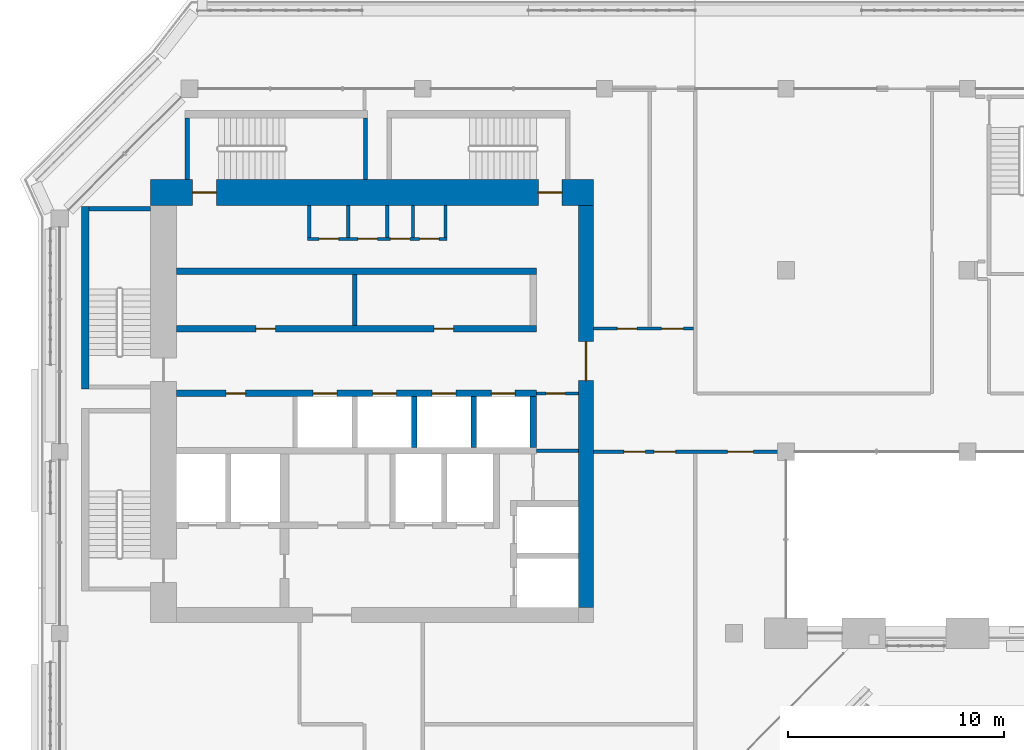
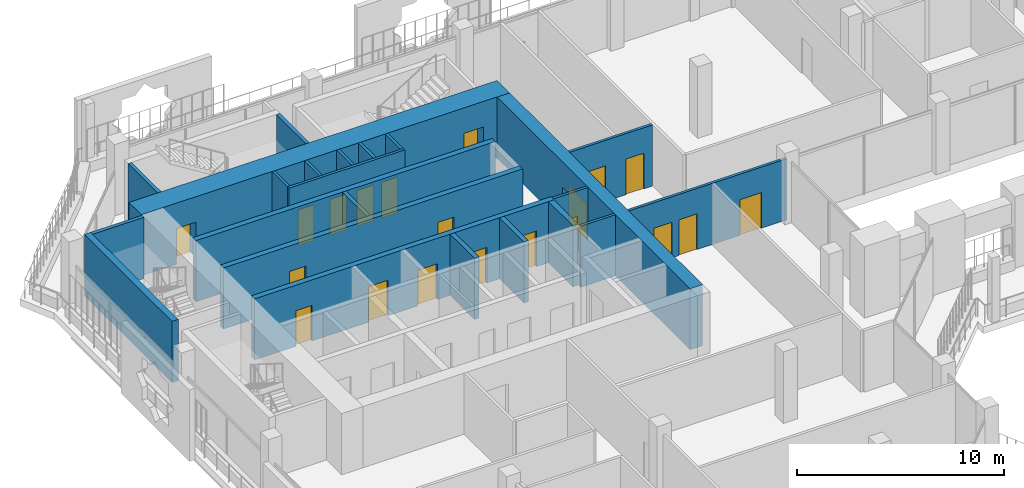
# One storey, part 11 of 22: 23 walls, 20 doors, 20 openings.
"""IFC4 building model written with IfcOpenShell, lengths in metres."""

from ifc_helpers import new_model, si_unit, direction, frame, frame_2d, origin, place, context, subcontext, project, spatial, rectangle, extrude, material, layer, layer_set, type_object, element, fill, save


model = new_model("IFC4")

# Units and contexts
model_context = context("Model", 3, precision=1e-05, world=origin(), true_north=direction((0.0, 1.0)))
body_context = subcontext(model_context, "Body", "Model", "MODEL_VIEW")
ifc_project = project(units=[si_unit("LENGTHUNIT", "METRE"), si_unit("AREAUNIT", "SQUARE_METRE"), si_unit("VOLUMEUNIT", "CUBIC_METRE"), si_unit("PLANEANGLEUNIT", "RADIAN"), si_unit("MASSUNIT", "GRAM", prefix="KILO")], contexts=[model_context])

# Site, building, storey
site_placement = place(None, origin())
site = spatial("IfcSite", under=ifc_project, at=site_placement, CompositionType="ELEMENT")
building_placement = place(site_placement, origin())
building = spatial("IfcBuilding", under=site, at=building_placement, Name="Kawkab Arch Medical Tower", CompositionType="ELEMENT")
storey_placement = place(building_placement, frame((0.0, 0.0, 286.0)))
storey = spatial("IfcBuildingStorey", under=building, at=storey_placement, Name="L66", CompositionType="ELEMENT", Elevation=286.0)

# Wall, openings, doors
ifc_material_1 = material(Name="Concrete C50/60", Category="concrete")
ifc_layer_1 = layer(ifc_material_1, 1.199951171875)
ifc_layer_set_1 = layer_set([ifc_layer_1], Name="Concrete C50/60")
wall_type_1 = type_object("IfcWallType", Name="Core ring wall 1200 C50/60", PredefinedType="SHEAR", material=ifc_layer_set_1)
wall_1_placement = place(storey_placement, frame((4.199951171875, -4.800048828125, 0.0), z_axis=(0.0, 0.0, 1.0), x_axis=(1.0, 0.0, 0.0)))
wall_1 = element("IfcWall", 1, at=wall_1_placement, inside=storey, type_object=wall_type_1, Name="L66 core wall", PredefinedType="SHEAR", context=body_context, shape_type="SweptSolid", body=[
    extrude(rectangle(XDim=20.5, YDim=1.199951171875, at=frame_2d((10.25, 0.0))), origin(), (0.0, 0.0, 1.0), 3.60009765625),
])
opening_1_placement = place(wall_1_placement, frame((1.949951171875, 0.0, 0.0)))
opening_1 = element("IfcOpeningElement", 2, at=opening_1_placement, cuts=wall_1, Name="Opening SD", PredefinedType="OPENING", context=body_context, shape_type="SweptSolid", body=[
    extrude(rectangle(XDim=1.10009765625, YDim=2.10009765625, at=frame_2d((0.550048828125, 1.050048828125))), frame((0.0, 0.60986328125, 0.0), z_axis=(0.0, -1.0, 0.0), x_axis=(1.0, 0.0, 0.0)), (0.0, 0.0, 1.0), 1.219970703125),
])
opening_2_placement = place(wall_1_placement, frame((17.949951171875, 0.0, 0.0)))
opening_2 = element("IfcOpeningElement", 3, at=opening_2_placement, cuts=wall_1, Name="Opening SD", PredefinedType="OPENING", context=body_context, shape_type="SweptSolid", body=[
    extrude(rectangle(XDim=1.10009765625, YDim=2.10009765625, at=frame_2d((0.550048828125, 1.050048828125))), frame((0.0, 0.60986328125, 0.0), z_axis=(0.0, -1.0, 0.0), x_axis=(1.0, 0.0, 0.0)), (0.0, 0.0, 1.0), 1.219970703125),
])
ifc_material_2 = material(Name="Hollow metal fire door leaf")
door_type_1 = type_object("IfcDoorType", Name="Exit stair door 1100", OperationType="SINGLE_SWING_LEFT", PredefinedType="DOOR", material=ifc_material_2)
door_1_placement = place(opening_1_placement, origin())
door_1 = element("IfcDoor", 4, at=door_1_placement, inside=storey, type_object=door_type_1, Name="L66 Exit stair ST3 door", OperationType="SINGLE_SWING_LEFT", OverallHeight=2.10009765625, OverallWidth=1.10009765625, PredefinedType="DOOR", context=body_context, shape_type="SweptSolid", body=[
    extrude(rectangle(XDim=1.10009765625, YDim=2.10009765625, at=frame_2d((0.550048828125, 1.050048828125))), frame((0.0, 0.02490234375, 0.0), z_axis=(0.0, -1.0, 0.0), x_axis=(1.0, 0.0, 0.0)), (0.0, 0.0, 1.0), 0.050048828125),
])
fill(opening_1, door_1)
door_2_placement = place(opening_2_placement, origin())
door_2 = element("IfcDoor", 5, at=door_2_placement, inside=storey, type_object=door_type_1, Name="L66 Exit stair ST4 door", OperationType="SINGLE_SWING_LEFT", OverallHeight=2.10009765625, OverallWidth=1.10009765625, PredefinedType="DOOR", context=body_context, shape_type="SweptSolid", body=[
    extrude(rectangle(XDim=1.10009765625, YDim=2.10009765625, at=frame_2d((0.550048828125, 1.050048828125))), frame((0.0, 0.02490234375, 0.0), z_axis=(0.0, -1.0, 0.0), x_axis=(1.0, 0.0, 0.0)), (0.0, 0.0, 1.0), 0.050048828125),
])
fill(opening_2, door_2)

# Wall, opening, door
ifc_material_3 = material(Name="Concrete C50/60", Category="concrete")
ifc_layer_2 = layer(ifc_material_3, 0.699951171875)
ifc_layer_set_2 = layer_set([ifc_layer_2], Name="Concrete C50/60")
wall_type_2 = type_object("IfcWallType", Name="Core ring wall 700 C50/60", PredefinedType="SHEAR", material=ifc_layer_set_2)
wall_2_placement = place(storey_placement, frame((24.35009765625, -24.0, 0.0), z_axis=(0.0, 0.0, 1.0), x_axis=(0.0, 1.0, 0.0)))
wall_2 = element("IfcWall", 6, at=wall_2_placement, inside=storey, type_object=wall_type_2, Name="L66 core wall", PredefinedType="SHEAR", context=body_context, shape_type="SweptSolid", body=[
    extrude(rectangle(XDim=18.60009765625, YDim=0.699951171875, at=frame_2d((9.300048828125, 0.0))), origin(), (0.0, 0.0, 1.0), 3.60009765625),
])
opening_3_placement = place(wall_2_placement, frame((10.5, 0.0, 0.0)))
opening_3 = element("IfcOpeningElement", 7, at=opening_3_placement, cuts=wall_2, Name="Opening PD", PredefinedType="OPENING", context=body_context, shape_type="SweptSolid", body=[
    extrude(rectangle(XDim=1.800048828125, YDim=2.10009765625, at=frame_2d((0.89990234375, 1.050048828125))), frame((0.0, 0.35986328125, 0.0), z_axis=(0.0, -1.0, 0.0), x_axis=(1.0, 0.0, 0.0)), (0.0, 0.0, 1.0), 0.719970703125),
])
ifc_material_4 = material(Name="Hollow metal fire door leaf")
door_type_2 = type_object("IfcDoorType", Name="Core entrance doors 1800", OperationType="DOUBLE_DOOR_SINGLE_SWING", PredefinedType="DOOR", material=ifc_material_4)
door_3_placement = place(opening_3_placement, origin())
door_3 = element("IfcDoor", 8, at=door_3_placement, inside=storey, type_object=door_type_2, Name="L66 East entrance doors", OperationType="DOUBLE_DOOR_SINGLE_SWING", OverallHeight=2.10009765625, OverallWidth=1.800048828125, PredefinedType="DOOR", context=body_context, shape_type="SweptSolid", body=[
    extrude(rectangle(XDim=1.800048828125, YDim=2.10009765625, at=frame_2d((0.89990234375, 1.050048828125))), frame((0.0, 0.02490234375, 0.0), z_axis=(0.0, -1.0, 0.0), x_axis=(1.0, 0.0, 0.0)), (0.0, 0.0, 1.0), 0.050048828125),
])
fill(opening_3, door_3)

# Wall
ifc_material_5 = material(Name="Gypsum board on steel studs", Category="steel")
ifc_layer_3 = layer(ifc_material_5, 0.14990234375)
ifc_layer_set_3 = layer_set([ifc_layer_3], Name="Gypsum board on steel studs")
wall_type_3 = type_object("IfcWallType", Name="Core room partition 150", PredefinedType="PARTITIONING", material=ifc_layer_set_3)
wall_3_placement = place(storey_placement, frame((22.050048828125, -16.75, 0.0), z_axis=(0.0, 0.0, 1.0), x_axis=(1.0, 0.0, 0.0)))
element("IfcWall", 9, at=wall_3_placement, inside=storey, type_object=wall_type_3, Name="L66 core room partition", PredefinedType="PARTITIONING", context=body_context, shape_type="SweptSolid", body=[
    extrude(rectangle(XDim=1.949951171875, YDim=0.14990234375, at=frame_2d((0.97509765625, 0.0))), origin(), (0.0, 0.0, 1.0), 3.60009765625),
])

# Wall, opening, door
wall_4_placement = place(storey_placement, frame((22.050048828125, -14.10009765625, 0.0), z_axis=(0.0, 0.0, 1.0), x_axis=(1.0, 0.0, 0.0)))
wall_4 = element("IfcWall", 10, at=wall_4_placement, inside=storey, type_object=wall_type_3, Name="L66 core room partition", PredefinedType="PARTITIONING", context=body_context, shape_type="SweptSolid", body=[
    extrude(rectangle(XDim=1.949951171875, YDim=0.14990234375, at=frame_2d((0.97509765625, 0.0))), origin(), (0.0, 0.0, 1.0), 3.60009765625),
])
opening_4_placement = place(wall_4_placement, frame((0.449951171875, 0.0, 0.0)))
opening_4 = element("IfcOpeningElement", 11, at=opening_4_placement, cuts=wall_4, Name="Opening RD", PredefinedType="OPENING", context=body_context, shape_type="SweptSolid", body=[
    extrude(rectangle(XDim=0.89990234375, YDim=2.10009765625, at=frame_2d((0.449951171875, 1.050048828125))), frame((0.0, 0.0849609375, 0.0), z_axis=(0.0, -1.0, 0.0), x_axis=(1.0, 0.0, 0.0)), (0.0, 0.0, 1.0), 0.169921875),
])
ifc_material_6 = material(Name="Hollow metal fire door leaf")
door_type_3 = type_object("IfcDoorType", Name="Core room door 900", OperationType="SINGLE_SWING_LEFT", PredefinedType="DOOR", material=ifc_material_6)
door_4_placement = place(opening_4_placement, origin())
door_4 = element("IfcDoor", 12, at=door_4_placement, inside=storey, type_object=door_type_3, Name="L66 UPS room door", OperationType="SINGLE_SWING_LEFT", OverallHeight=2.10009765625, OverallWidth=0.89990234375, PredefinedType="DOOR", context=body_context, shape_type="SweptSolid", body=[
    extrude(rectangle(XDim=0.89990234375, YDim=2.10009765625, at=frame_2d((0.449951171875, 1.050048828125))), frame((0.0, 0.02490234375, 0.0), z_axis=(0.0, -1.0, 0.0), x_axis=(1.0, 0.0, 0.0)), (0.0, 0.0, 1.0), 0.050048828125),
])
fill(opening_4, door_4)

# Wall, openings, doors
wall_5_placement = place(storey_placement, frame((11.47509765625, -6.949951171875, 0.0), z_axis=(0.0, 0.0, 1.0), x_axis=(1.0, 0.0, 0.0)))
wall_5 = element("IfcWall", 13, at=wall_5_placement, inside=storey, type_object=wall_type_3, Name="L66 core room partition", PredefinedType="PARTITIONING", context=body_context, shape_type="SweptSolid", body=[
    extrude(rectangle(XDim=6.449951171875, YDim=0.14990234375, at=frame_2d((3.22509765625, 0.0))), origin(), (0.0, 0.0, 1.0), 3.60009765625),
])
opening_5_placement = place(wall_5_placement, frame((0.52490234375, 0.0, 0.0)))
opening_5 = element("IfcOpeningElement", 14, at=opening_5_placement, cuts=wall_5, Name="Opening RD", PredefinedType="OPENING", context=body_context, shape_type="SweptSolid", body=[
    extrude(rectangle(XDim=0.89990234375, YDim=2.10009765625, at=frame_2d((0.449951171875, 1.050048828125))), frame((0.0, 0.0849609375, 0.0), z_axis=(0.0, -1.0, 0.0), x_axis=(1.0, 0.0, 0.0)), (0.0, 0.0, 1.0), 0.169921875),
])
opening_6_placement = place(wall_5_placement, frame((2.324951171875, 0.0, 0.0)))
opening_6 = element("IfcOpeningElement", 15, at=opening_6_placement, cuts=wall_5, Name="Opening RD", PredefinedType="OPENING", context=body_context, shape_type="SweptSolid", body=[
    extrude(rectangle(XDim=0.89990234375, YDim=2.10009765625, at=frame_2d((0.449951171875, 1.050048828125))), frame((0.0, 0.0849609375, 0.0), z_axis=(0.0, -1.0, 0.0), x_axis=(1.0, 0.0, 0.0)), (0.0, 0.0, 1.0), 0.169921875),
])
opening_7_placement = place(wall_5_placement, frame((3.824951171875, 0.0, 0.0)))
opening_7 = element("IfcOpeningElement", 16, at=opening_7_placement, cuts=wall_5, Name="Opening RD", PredefinedType="OPENING", context=body_context, shape_type="SweptSolid", body=[
    extrude(rectangle(XDim=0.89990234375, YDim=2.10009765625, at=frame_2d((0.449951171875, 1.050048828125))), frame((0.0, 0.0849609375, 0.0), z_axis=(0.0, -1.0, 0.0), x_axis=(1.0, 0.0, 0.0)), (0.0, 0.0, 1.0), 0.169921875),
])
opening_8_placement = place(wall_5_placement, frame((5.175048828125, 0.0, 0.0)))
opening_8 = element("IfcOpeningElement", 17, at=opening_8_placement, cuts=wall_5, Name="Opening RD", PredefinedType="OPENING", context=body_context, shape_type="SweptSolid", body=[
    extrude(rectangle(XDim=0.89990234375, YDim=2.10009765625, at=frame_2d((0.449951171875, 1.050048828125))), frame((0.0, 0.0849609375, 0.0), z_axis=(0.0, -1.0, 0.0), x_axis=(1.0, 0.0, 0.0)), (0.0, 0.0, 1.0), 0.169921875),
])
door_5_placement = place(opening_5_placement, origin())
door_5 = element("IfcDoor", 18, at=door_5_placement, inside=storey, type_object=door_type_3, Name="L66 Linen store door", OperationType="SINGLE_SWING_LEFT", OverallHeight=2.10009765625, OverallWidth=0.89990234375, PredefinedType="DOOR", context=body_context, shape_type="SweptSolid", body=[
    extrude(rectangle(XDim=0.89990234375, YDim=2.10009765625, at=frame_2d((0.449951171875, 1.050048828125))), frame((0.0, 0.02490234375, 0.0), z_axis=(0.0, -1.0, 0.0), x_axis=(1.0, 0.0, 0.0)), (0.0, 0.0, 1.0), 0.050048828125),
])
fill(opening_5, door_5)
door_6_placement = place(opening_6_placement, origin())
door_6 = element("IfcDoor", 19, at=door_6_placement, inside=storey, type_object=door_type_3, Name="L66 Comms room door", OperationType="SINGLE_SWING_LEFT", OverallHeight=2.10009765625, OverallWidth=0.89990234375, PredefinedType="DOOR", context=body_context, shape_type="SweptSolid", body=[
    extrude(rectangle(XDim=0.89990234375, YDim=2.10009765625, at=frame_2d((0.449951171875, 1.050048828125))), frame((0.0, 0.02490234375, 0.0), z_axis=(0.0, -1.0, 0.0), x_axis=(1.0, 0.0, 0.0)), (0.0, 0.0, 1.0), 0.050048828125),
])
fill(opening_6, door_6)
door_7_placement = place(opening_7_placement, origin())
door_7 = element("IfcDoor", 20, at=door_7_placement, inside=storey, type_object=door_type_3, Name="L66 Electrical riser room door", OperationType="SINGLE_SWING_LEFT", OverallHeight=2.10009765625, OverallWidth=0.89990234375, PredefinedType="DOOR", context=body_context, shape_type="SweptSolid", body=[
    extrude(rectangle(XDim=0.89990234375, YDim=2.10009765625, at=frame_2d((0.449951171875, 1.050048828125))), frame((0.0, 0.02490234375, 0.0), z_axis=(0.0, -1.0, 0.0), x_axis=(1.0, 0.0, 0.0)), (0.0, 0.0, 1.0), 0.050048828125),
])
fill(opening_7, door_7)
door_8_placement = place(opening_8_placement, origin())
door_8 = element("IfcDoor", 21, at=door_8_placement, inside=storey, type_object=door_type_3, Name="L66 Ward pantry door", OperationType="SINGLE_SWING_LEFT", OverallHeight=2.10009765625, OverallWidth=0.89990234375, PredefinedType="DOOR", context=body_context, shape_type="SweptSolid", body=[
    extrude(rectangle(XDim=0.89990234375, YDim=2.10009765625, at=frame_2d((0.449951171875, 1.050048828125))), frame((0.0, 0.02490234375, 0.0), z_axis=(0.0, -1.0, 0.0), x_axis=(1.0, 0.0, 0.0)), (0.0, 0.0, 1.0), 0.050048828125),
])
fill(opening_8, door_8)

# Walls
for number, where, z_axis, x_axis, name in (
    (22, (11.550048828125, -6.875, 0.0), (0.0, 0.0, 1.0), (0.0, 1.0, 0.0), "L66 core room partition"),
    (23, (13.35009765625, -6.875, 0.0), (0.0, 0.0, 1.0), (0.0, 1.0, 0.0), "L66 core room partition"),
    (24, (15.14990234375, -6.875, 0.0), (0.0, 0.0, 1.0), (0.0, 1.0, 0.0), "L66 core room partition"),
    (25, (16.35009765625, -6.875, 0.0), (0.0, 0.0, 1.0), (0.0, 1.0, 0.0), "L66 core room partition"),
    (26, (17.85009765625, -6.875, 0.0), (0.0, 0.0, 1.0), (0.0, 1.0, 0.0), "L66 core room partition"),
):
    element("IfcWall", number, at=place(storey_placement, frame(where, z_axis=z_axis, x_axis=x_axis)), inside=storey, type_object=wall_type_3, Name=name, PredefinedType="PARTITIONING", context=body_context, shape_type="SweptSolid", body=[
        extrude(rectangle(XDim=1.47509765625, YDim=0.14990234375, at=frame_2d((0.737548828125, 0.0))), origin(), (0.0, 0.0, 1.0), 3.60009765625),
    ])
ifc_material_7 = material(Name="Concrete C60/75", Category="concrete")
ifc_layer_4 = layer(ifc_material_7, 0.25)
ifc_layer_set_4 = layer_set([ifc_layer_4], Name="Concrete C60/75")
wall_type_4 = type_object("IfcWallType", Name="Core shear wall 250 C60/75", PredefinedType="SHEAR", material=ifc_layer_set_4)
for number, where, z_axis, x_axis, name in (
    (27, (16.39990234375, -16.60009765625, 0.0), (0.0, 0.0, 1.0), (0.0, 1.0, 0.0), "L66 core shear wall"),
    (28, (19.14990234375, -16.60009765625, 0.0), (0.0, 0.0, 1.0), (0.0, 1.0, 0.0), "L66 core shear wall"),
):
    element("IfcWall", number, at=place(storey_placement, frame(where, z_axis=z_axis, x_axis=x_axis)), inside=storey, type_object=wall_type_4, Name=name, PredefinedType="SHEAR", context=body_context, shape_type="SweptSolid", body=[
        extrude(rectangle(XDim=2.35009765625, YDim=0.25, at=frame_2d((1.175048828125, 0.0))), origin(), (0.0, 0.0, 1.0), 3.60009765625),
    ])
ifc_material_8 = material(Name="Concrete C60/75", Category="concrete")
ifc_layer_5 = layer(ifc_material_8, 0.300048828125)
ifc_layer_set_5 = layer_set([ifc_layer_5], Name="Concrete C60/75")
wall_type_5 = type_object("IfcWallType", Name="Core shear wall 300 C60/75", PredefinedType="SHEAR", material=ifc_layer_set_5)
wall_6_placement = place(storey_placement, frame((5.39990234375, -8.449951171875, 0.0), z_axis=(0.0, 0.0, 1.0), x_axis=(1.0, 0.0, 0.0)))
element("IfcWall", 29, at=wall_6_placement, inside=storey, type_object=wall_type_5, Name="L66 core shear wall", PredefinedType="SHEAR", context=body_context, shape_type="SweptSolid", body=[
    extrude(rectangle(XDim=16.650146484375, YDim=0.300048828125, at=frame_2d((8.3251953125, 0.0))), origin(), (0.0, 0.0, 1.0), 3.60009765625),
])

# Wall, openings, doors
wall_7_placement = place(storey_placement, frame((5.39990234375, -11.10009765625, 0.0), z_axis=(0.0, 0.0, 1.0), x_axis=(1.0, 0.0, 0.0)))
wall_7 = element("IfcWall", 30, at=wall_7_placement, inside=storey, type_object=wall_type_5, Name="L66 core shear wall", PredefinedType="SHEAR", context=body_context, shape_type="SweptSolid", body=[
    extrude(rectangle(XDim=16.650146484375, YDim=0.300048828125, at=frame_2d((8.3251953125, 0.0))), origin(), (0.0, 0.0, 1.0), 3.60009765625),
])
opening_9_placement = place(wall_7_placement, frame((3.675048828125, 0.0, 0.0)))
opening_9 = element("IfcOpeningElement", 31, at=opening_9_placement, cuts=wall_7, Name="Opening RD", PredefinedType="OPENING", context=body_context, shape_type="SweptSolid", body=[
    extrude(rectangle(XDim=0.89990234375, YDim=2.10009765625, at=frame_2d((0.449951171875, 1.050048828125))), frame((0.0, 0.159912109375, 0.0), z_axis=(0.0, -1.0, 0.0), x_axis=(1.0, 0.0, 0.0)), (0.0, 0.0, 1.0), 0.320068359375),
])
opening_10_placement = place(wall_7_placement, frame((11.925048828125, 0.0, 0.0)))
opening_10 = element("IfcOpeningElement", 32, at=opening_10_placement, cuts=wall_7, Name="Opening RD", PredefinedType="OPENING", context=body_context, shape_type="SweptSolid", body=[
    extrude(rectangle(XDim=0.89990234375, YDim=2.10009765625, at=frame_2d((0.449951171875, 1.050048828125))), frame((0.0, 0.159912109375, 0.0), z_axis=(0.0, -1.0, 0.0), x_axis=(1.0, 0.0, 0.0)), (0.0, 0.0, 1.0), 0.320068359375),
])
door_9_placement = place(opening_9_placement, origin())
door_9 = element("IfcDoor", 33, at=door_9_placement, inside=storey, type_object=door_type_3, Name="L66 Equipment store door", OperationType="SINGLE_SWING_LEFT", OverallHeight=2.10009765625, OverallWidth=0.89990234375, PredefinedType="DOOR", context=body_context, shape_type="SweptSolid", body=[
    extrude(rectangle(XDim=0.89990234375, YDim=2.10009765625, at=frame_2d((0.449951171875, 1.050048828125))), frame((0.0, 0.02490234375, 0.0), z_axis=(0.0, -1.0, 0.0), x_axis=(1.0, 0.0, 0.0)), (0.0, 0.0, 1.0), 0.050048828125),
])
fill(opening_9, door_9)
door_10_placement = place(opening_10_placement, origin())
door_10 = element("IfcDoor", 34, at=door_10_placement, inside=storey, type_object=door_type_3, Name="L66 Clean utility room door", OperationType="SINGLE_SWING_LEFT", OverallHeight=2.10009765625, OverallWidth=0.89990234375, PredefinedType="DOOR", context=body_context, shape_type="SweptSolid", body=[
    extrude(rectangle(XDim=0.89990234375, YDim=2.10009765625, at=frame_2d((0.449951171875, 1.050048828125))), frame((0.0, 0.02490234375, 0.0), z_axis=(0.0, -1.0, 0.0), x_axis=(1.0, 0.0, 0.0)), (0.0, 0.0, 1.0), 0.050048828125),
])
fill(opening_10, door_10)

wall_8_placement = place(storey_placement, frame((5.39990234375, -14.10009765625, 0.0), z_axis=(0.0, 0.0, 1.0), x_axis=(1.0, 0.0, 0.0)))
wall_8 = element("IfcWall", 35, at=wall_8_placement, inside=storey, type_object=wall_type_5, Name="L66 core shear wall", PredefinedType="SHEAR", context=body_context, shape_type="SweptSolid", body=[
    extrude(rectangle(XDim=16.650146484375, YDim=0.300048828125, at=frame_2d((8.3251953125, 0.0))), origin(), (0.0, 0.0, 1.0), 3.60009765625),
])
opening_11_placement = place(wall_8_placement, frame((6.324951171875, 0.0, 0.0)))
opening_11 = element("IfcOpeningElement", 36, at=opening_11_placement, cuts=wall_8, Name="Opening LD1", PredefinedType="OPENING", context=body_context, shape_type="SweptSolid", body=[
    extrude(rectangle(XDim=1.10009765625, YDim=2.10009765625, at=frame_2d((0.550048828125, 1.050048828125))), frame((0.0, 0.159912109375, 0.0), z_axis=(0.0, -1.0, 0.0), x_axis=(1.0, 0.0, 0.0)), (0.0, 0.0, 1.0), 0.320068359375),
])
opening_12_placement = place(wall_8_placement, frame((9.074951171875, 0.0, 0.0)))
opening_12 = element("IfcOpeningElement", 37, at=opening_12_placement, cuts=wall_8, Name="Opening LD1", PredefinedType="OPENING", context=body_context, shape_type="SweptSolid", body=[
    extrude(rectangle(XDim=1.10009765625, YDim=2.10009765625, at=frame_2d((0.550048828125, 1.050048828125))), frame((0.0, 0.159912109375, 0.0), z_axis=(0.0, -1.0, 0.0), x_axis=(1.0, 0.0, 0.0)), (0.0, 0.0, 1.0), 0.320068359375),
])
opening_13_placement = place(wall_8_placement, frame((11.824951171875, 0.0, 0.0)))
opening_13 = element("IfcOpeningElement", 38, at=opening_13_placement, cuts=wall_8, Name="Opening LD1", PredefinedType="OPENING", context=body_context, shape_type="SweptSolid", body=[
    extrude(rectangle(XDim=1.10009765625, YDim=2.10009765625, at=frame_2d((0.550048828125, 1.050048828125))), frame((0.0, 0.159912109375, 0.0), z_axis=(0.0, -1.0, 0.0), x_axis=(1.0, 0.0, 0.0)), (0.0, 0.0, 1.0), 0.320068359375),
])
opening_14_placement = place(wall_8_placement, frame((14.574951171875, 0.0, 0.0)))
opening_14 = element("IfcOpeningElement", 39, at=opening_14_placement, cuts=wall_8, Name="Opening LD1", PredefinedType="OPENING", context=body_context, shape_type="SweptSolid", body=[
    extrude(rectangle(XDim=1.10009765625, YDim=2.10009765625, at=frame_2d((0.550048828125, 1.050048828125))), frame((0.0, 0.159912109375, 0.0), z_axis=(0.0, -1.0, 0.0), x_axis=(1.0, 0.0, 0.0)), (0.0, 0.0, 1.0), 0.320068359375),
])
opening_15_placement = place(wall_8_placement, frame((2.300048828125, 0.0, 0.0)))
opening_15 = element("IfcOpeningElement", 40, at=opening_15_placement, cuts=wall_8, Name="Opening RD", PredefinedType="OPENING", context=body_context, shape_type="SweptSolid", body=[
    extrude(rectangle(XDim=0.89990234375, YDim=2.10009765625, at=frame_2d((0.449951171875, 1.050048828125))), frame((0.0, 0.159912109375, 0.0), z_axis=(0.0, -1.0, 0.0), x_axis=(1.0, 0.0, 0.0)), (0.0, 0.0, 1.0), 0.320068359375),
])
door_11_placement = place(opening_15_placement, origin())
door_11 = element("IfcDoor", 41, at=door_11_placement, inside=storey, type_object=door_type_3, Name="L66 Medication store door", OperationType="SINGLE_SWING_LEFT", OverallHeight=2.10009765625, OverallWidth=0.89990234375, PredefinedType="DOOR", context=body_context, shape_type="SweptSolid", body=[
    extrude(rectangle(XDim=0.89990234375, YDim=2.10009765625, at=frame_2d((0.449951171875, 1.050048828125))), frame((0.0, 0.02490234375, 0.0), z_axis=(0.0, -1.0, 0.0), x_axis=(1.0, 0.0, 0.0)), (0.0, 0.0, 1.0), 0.050048828125),
])
fill(opening_15, door_11)
ifc_material_9 = material(Name="Stainless steel lift door leaf", Category="steel")
door_type_4 = type_object("IfcDoorType", Name="Lift landing door 1100", OperationType="DOUBLE_DOOR_SLIDING", PredefinedType="DOOR", material=ifc_material_9)
door_12_placement = place(opening_11_placement, origin())
door_12 = element("IfcDoor", 42, at=door_12_placement, inside=storey, type_object=door_type_4, Name="L66 Lift landing door HP1", OperationType="DOUBLE_DOOR_SLIDING", OverallHeight=2.10009765625, OverallWidth=1.10009765625, PredefinedType="DOOR", context=body_context, shape_type="SweptSolid", body=[
    extrude(rectangle(XDim=1.10009765625, YDim=2.10009765625, at=frame_2d((0.550048828125, 1.050048828125))), frame((0.0, 0.02490234375, 0.0), z_axis=(0.0, -1.0, 0.0), x_axis=(1.0, 0.0, 0.0)), (0.0, 0.0, 1.0), 0.050048828125),
])
fill(opening_11, door_12)
door_13_placement = place(opening_12_placement, origin())
door_13 = element("IfcDoor", 43, at=door_13_placement, inside=storey, type_object=door_type_4, Name="L66 Lift landing door HP2", OperationType="DOUBLE_DOOR_SLIDING", OverallHeight=2.10009765625, OverallWidth=1.10009765625, PredefinedType="DOOR", context=body_context, shape_type="SweptSolid", body=[
    extrude(rectangle(XDim=1.10009765625, YDim=2.10009765625, at=frame_2d((0.550048828125, 1.050048828125))), frame((0.0, 0.02490234375, 0.0), z_axis=(0.0, -1.0, 0.0), x_axis=(1.0, 0.0, 0.0)), (0.0, 0.0, 1.0), 0.050048828125),
])
fill(opening_12, door_13)
door_14_placement = place(opening_13_placement, origin())
door_14 = element("IfcDoor", 44, at=door_14_placement, inside=storey, type_object=door_type_4, Name="L66 Lift landing door HP3", OperationType="DOUBLE_DOOR_SLIDING", OverallHeight=2.10009765625, OverallWidth=1.10009765625, PredefinedType="DOOR", context=body_context, shape_type="SweptSolid", body=[
    extrude(rectangle(XDim=1.10009765625, YDim=2.10009765625, at=frame_2d((0.550048828125, 1.050048828125))), frame((0.0, 0.02490234375, 0.0), z_axis=(0.0, -1.0, 0.0), x_axis=(1.0, 0.0, 0.0)), (0.0, 0.0, 1.0), 0.050048828125),
])
fill(opening_13, door_14)
door_15_placement = place(opening_14_placement, origin())
door_15 = element("IfcDoor", 45, at=door_15_placement, inside=storey, type_object=door_type_4, Name="L66 Lift landing door HP4", OperationType="DOUBLE_DOOR_SLIDING", OverallHeight=2.10009765625, OverallWidth=1.10009765625, PredefinedType="DOOR", context=body_context, shape_type="SweptSolid", body=[
    extrude(rectangle(XDim=1.10009765625, YDim=2.10009765625, at=frame_2d((0.550048828125, 1.050048828125))), frame((0.0, 0.02490234375, 0.0), z_axis=(0.0, -1.0, 0.0), x_axis=(1.0, 0.0, 0.0)), (0.0, 0.0, 1.0), 0.050048828125),
])
fill(opening_14, door_15)

# Walls
wall_9_placement = place(storey_placement, frame((21.89990234375, -16.60009765625, 0.0), z_axis=(0.0, 0.0, 1.0), x_axis=(0.0, 1.0, 0.0)))
element("IfcWall", 46, at=wall_9_placement, inside=storey, type_object=wall_type_5, Name="L66 core shear wall", PredefinedType="SHEAR", context=body_context, shape_type="SweptSolid", body=[
    extrude(rectangle(XDim=2.35009765625, YDim=0.300048828125, at=frame_2d((1.175048828125, 0.0))), origin(), (0.0, 0.0, 1.0), 3.60009765625),
])
ifc_material_10 = material(Name="Dense concrete blockwork", Category="masonry")
ifc_layer_6 = layer(ifc_material_10, 0.199951171875)
ifc_layer_set_6 = layer_set([ifc_layer_6], Name="Dense concrete blockwork")
wall_type_6 = type_object("IfcWallType", Name="Lift shaft partition 200", PredefinedType="PARTITIONING", material=ifc_layer_set_6)
wall_10_placement = place(storey_placement, frame((13.64990234375, -10.949951171875, 0.0), z_axis=(0.0, 0.0, 1.0), x_axis=(0.0, 1.0, 0.0)))
element("IfcWall", 47, at=wall_10_placement, inside=storey, type_object=wall_type_6, Name="L66 lift shaft partition", PredefinedType="PARTITIONING", context=body_context, shape_type="SweptSolid", body=[
    extrude(rectangle(XDim=2.349853515625, YDim=0.199951171875, at=frame_2d((1.1748046875, 0.0))), origin(), (0.0, 0.0, 1.0), 3.60009765625),
])

# Wall, openings, doors
ifc_material_11 = material(Name="Gypsum board partition on steel studs, mineral wool", Category="steel")
ifc_layer_7 = layer(ifc_material_11, 0.14990234375)
ifc_layer_set_7 = layer_set([ifc_layer_7], Name="Gypsum board partition on steel studs, mineral wool")
wall_type_7 = type_object("IfcWallType", Name="Partition 150", PredefinedType="PARTITIONING", material=ifc_layer_set_7)
wall_11_placement = place(storey_placement, frame((24.699951171875, -16.800048828125, 0.0), z_axis=(0.0, 0.0, 1.0), x_axis=(1.0, 0.0, 0.0)))
wall_11 = element("IfcWall", 48, at=wall_11_placement, inside=storey, type_object=wall_type_7, Name="Partition 150 w010", PredefinedType="PARTITIONING", context=body_context, shape_type="SweptSolid", body=[
    extrude(rectangle(XDim=8.820068359375, YDim=0.14990234375, at=frame_2d((4.41015625, 0.0))), origin(), (0.0, 0.0, 1.0), 3.60009765625),
])
opening_16_placement = place(wall_11_placement, frame((2.800048828125, 0.0, 0.0)))
opening_16 = element("IfcOpeningElement", 49, at=opening_16_placement, cuts=wall_11, Name="Opening B66-003", PredefinedType="OPENING", context=body_context, shape_type="SweptSolid", body=[
    extrude(rectangle(XDim=1.0, YDim=2.10009765625, at=frame_2d((0.5, 1.050048828125))), frame((0.0, 0.0849609375, 0.0), z_axis=(0.0, -1.0, 0.0), x_axis=(1.0, 0.0, 0.0)), (0.0, 0.0, 1.0), 0.169921875),
])
opening_17_placement = place(wall_11_placement, frame((1.39990234375, 0.0, 0.0)))
opening_17 = element("IfcOpeningElement", 50, at=opening_17_placement, cuts=wall_11, Name="Opening B66-004", PredefinedType="OPENING", context=body_context, shape_type="SweptSolid", body=[
    extrude(rectangle(XDim=1.0, YDim=2.10009765625, at=frame_2d((0.5, 1.050048828125))), frame((0.0, 0.0849609375, 0.0), z_axis=(0.0, -1.0, 0.0), x_axis=(1.0, 0.0, 0.0)), (0.0, 0.0, 1.0), 0.169921875),
])
opening_18_placement = place(wall_11_placement, frame((6.199951171875, 0.0, 0.0)))
opening_18 = element("IfcOpeningElement", 51, at=opening_18_placement, cuts=wall_11, Name="Opening B66-016", PredefinedType="OPENING", context=body_context, shape_type="SweptSolid", body=[
    extrude(rectangle(XDim=1.199951171875, YDim=2.10009765625, at=frame_2d((0.60009765625, 1.050048828125))), frame((0.0, 0.0849609375, 0.0), z_axis=(0.0, -1.0, 0.0), x_axis=(1.0, 0.0, 0.0)), (0.0, 0.0, 1.0), 0.169921875),
])
ifc_material_12 = material(Name="Hollow metal door leaf")
door_type_5 = type_object("IfcDoorType", Name="Single door 1000x2100 FD30S", OperationType="NOTDEFINED", PredefinedType="DOOR", material=ifc_material_12)
door_16_placement = place(opening_16_placement, origin())
door_16 = element("IfcDoor", 52, at=door_16_placement, inside=storey, type_object=door_type_5, Name="Door B66-003", OperationType="SINGLE_SWING_RIGHT", OverallHeight=2.10009765625, OverallWidth=1.0, PredefinedType="DOOR", context=body_context, shape_type="SweptSolid", body=[
    extrude(rectangle(XDim=1.0, YDim=2.10009765625, at=frame_2d((0.5, 1.050048828125))), frame((0.0, 0.02490234375, 0.0), z_axis=(0.0, -1.0, 0.0), x_axis=(1.0, 0.0, 0.0)), (0.0, 0.0, 1.0), 0.050048828125),
])
fill(opening_16, door_16)
door_17_placement = place(opening_17_placement, origin())
door_17 = element("IfcDoor", 53, at=door_17_placement, inside=storey, type_object=door_type_5, Name="Door B66-004", OperationType="SINGLE_SWING_RIGHT", OverallHeight=2.10009765625, OverallWidth=1.0, PredefinedType="DOOR", context=body_context, shape_type="SweptSolid", body=[
    extrude(rectangle(XDim=1.0, YDim=2.10009765625, at=frame_2d((0.5, 1.050048828125))), frame((0.0, 0.02490234375, 0.0), z_axis=(0.0, -1.0, 0.0), x_axis=(1.0, 0.0, 0.0)), (0.0, 0.0, 1.0), 0.050048828125),
])
fill(opening_17, door_17)
ifc_material_13 = material(Name="Hollow metal door leaf")
door_type_6 = type_object("IfcDoorType", Name="Single door 1200x2100 FD30S", OperationType="NOTDEFINED", PredefinedType="DOOR", material=ifc_material_13)
door_18_placement = place(opening_18_placement, origin())
door_18 = element("IfcDoor", 54, at=door_18_placement, inside=storey, type_object=door_type_6, Name="Door B66-016", OperationType="SINGLE_SWING_LEFT", OverallHeight=2.10009765625, OverallWidth=1.199951171875, PredefinedType="DOOR", context=body_context, shape_type="SweptSolid", body=[
    extrude(rectangle(XDim=1.199951171875, YDim=2.10009765625, at=frame_2d((0.60009765625, 1.050048828125))), frame((0.0, 0.02490234375, 0.0), z_axis=(0.0, -1.0, 0.0), x_axis=(1.0, 0.0, 0.0)), (0.0, 0.0, 1.0), 0.050048828125),
])
fill(opening_18, door_18)

wall_12_placement = place(storey_placement, frame((24.699951171875, -11.10009765625, 0.0), z_axis=(0.0, 0.0, 1.0), x_axis=(1.0, 0.0, 0.0)))
wall_12 = element("IfcWall", 55, at=wall_12_placement, inside=storey, type_object=wall_type_7, Name="Partition 150 w015", PredefinedType="PARTITIONING", context=body_context, shape_type="SweptSolid", body=[
    extrude(rectangle(XDim=4.625, YDim=0.14990234375, at=frame_2d((2.3125, 0.0))), origin(), (0.0, 0.0, 1.0), 3.60009765625),
])
opening_19_placement = place(wall_12_placement, frame((1.10009765625, 0.0, 0.0)))
opening_19 = element("IfcOpeningElement", 56, at=opening_19_placement, cuts=wall_12, Name="Opening B66-001", PredefinedType="OPENING", context=body_context, shape_type="SweptSolid", body=[
    extrude(rectangle(XDim=0.89990234375, YDim=2.10009765625, at=frame_2d((0.449951171875, 1.050048828125))), frame((0.0, 0.0849609375, 0.0), z_axis=(0.0, -1.0, 0.0), x_axis=(1.0, 0.0, 0.0)), (0.0, 0.0, 1.0), 0.169921875),
])
opening_20_placement = place(wall_12_placement, frame((3.14990234375, 0.0, 0.0)))
opening_20 = element("IfcOpeningElement", 57, at=opening_20_placement, cuts=wall_12, Name="Opening B66-002", PredefinedType="OPENING", context=body_context, shape_type="SweptSolid", body=[
    extrude(rectangle(XDim=1.0, YDim=2.10009765625, at=frame_2d((0.5, 1.050048828125))), frame((0.0, 0.0849609375, 0.0), z_axis=(0.0, -1.0, 0.0), x_axis=(1.0, 0.0, 0.0)), (0.0, 0.0, 1.0), 0.169921875),
])
ifc_material_14 = material(Name="Timber door leaf", Category="wood")
door_type_7 = type_object("IfcDoorType", Name="Single door 1000x2100", OperationType="NOTDEFINED", PredefinedType="DOOR", material=ifc_material_14)
door_19_placement = place(opening_20_placement, origin())
door_19 = element("IfcDoor", 58, at=door_19_placement, inside=storey, type_object=door_type_7, Name="Door B66-002", OperationType="SINGLE_SWING_RIGHT", OverallHeight=2.10009765625, OverallWidth=1.0, PredefinedType="DOOR", context=body_context, shape_type="SweptSolid", body=[
    extrude(rectangle(XDim=1.0, YDim=2.10009765625, at=frame_2d((0.5, 1.050048828125))), frame((0.0, 0.02490234375, 0.0), z_axis=(0.0, -1.0, 0.0), x_axis=(1.0, 0.0, 0.0)), (0.0, 0.0, 1.0), 0.050048828125),
])
fill(opening_20, door_19)
ifc_material_15 = material(Name="Timber door leaf", Category="wood")
door_type_8 = type_object("IfcDoorType", Name="Single door 900x2100", OperationType="NOTDEFINED", PredefinedType="DOOR", material=ifc_material_15)
door_20_placement = place(opening_19_placement, origin())
door_20 = element("IfcDoor", 59, at=door_20_placement, inside=storey, type_object=door_type_8, Name="Door B66-001", OperationType="SINGLE_SWING_LEFT", OverallHeight=2.10009765625, OverallWidth=0.89990234375, PredefinedType="DOOR", context=body_context, shape_type="SweptSolid", body=[
    extrude(rectangle(XDim=0.89990234375, YDim=2.10009765625, at=frame_2d((0.449951171875, 1.050048828125))), frame((0.0, 0.02490234375, 0.0), z_axis=(0.0, -1.0, 0.0), x_axis=(1.0, 0.0, 0.0)), (0.0, 0.0, 1.0), 0.050048828125),
])
fill(opening_19, door_20)

# Walls
ifc_material_16 = material(Name="Concrete C50/60", Category="concrete")
ifc_layer_8 = layer(ifc_material_16, 0.199951171875)
ifc_layer_set_8 = layer_set([ifc_layer_8], Name="Concrete C50/60")
wall_type_8 = type_object("IfcWallType", Name="Stair enclosure wall 200 C50/60", PredefinedType="SHEAR", material=ifc_layer_set_8)
for number, where, z_axis, x_axis, name in (
    (60, (1.35009765625, -5.550048828125, 0.0), (0.0, 0.0, 1.0), (1.0, 0.0, 0.0), "L66 stair enclosure wall"),
    (61, (5.89990234375, -4.199951171875, 0.0), (0.0, 0.0, 1.0), (0.0, 1.0, 0.0), "L66 stair enclosure wall"),
    (62, (14.14990234375, -4.199951171875, 0.0), (0.0, 0.0, 1.0), (0.0, 1.0, 0.0), "L66 stair enclosure wall"),
):
    element("IfcWall", number, at=place(storey_placement, frame(where, z_axis=z_axis, x_axis=x_axis)), inside=storey, type_object=wall_type_8, Name=name, PredefinedType="SHEAR", context=body_context, shape_type="SweptSolid", body=[
        extrude(rectangle(XDim=2.849853515625, YDim=0.199951171875, at=frame_2d((1.4248046875, 0.0))), origin(), (0.0, 0.0, 1.0), 3.60009765625),
    ])
ifc_material_17 = material(Name="Concrete C50/60", Category="concrete")
ifc_layer_9 = layer(ifc_material_17, 0.35009765625)
ifc_layer_set_9 = layer_set([ifc_layer_9], Name="Concrete C50/60")
wall_type_9 = type_object("IfcWallType", Name="Stair enclosure wall 350 C50/60", PredefinedType="SHEAR", material=ifc_layer_set_9)
wall_13_placement = place(storey_placement, frame((1.175048828125, -13.89990234375, 0.0), z_axis=(0.0, 0.0, 1.0), x_axis=(0.0, 1.0, 0.0)))
element("IfcWall", 63, at=wall_13_placement, inside=storey, type_object=wall_type_9, Name="L66 stair enclosure wall", PredefinedType="SHEAR", context=body_context, shape_type="SweptSolid", body=[
    extrude(rectangle(XDim=8.449951171875, YDim=0.35009765625, at=frame_2d((4.22509765625, 0.0))), origin(), (0.0, 0.0, 1.0), 3.60009765625),
])

save(model, "model.ifc")
